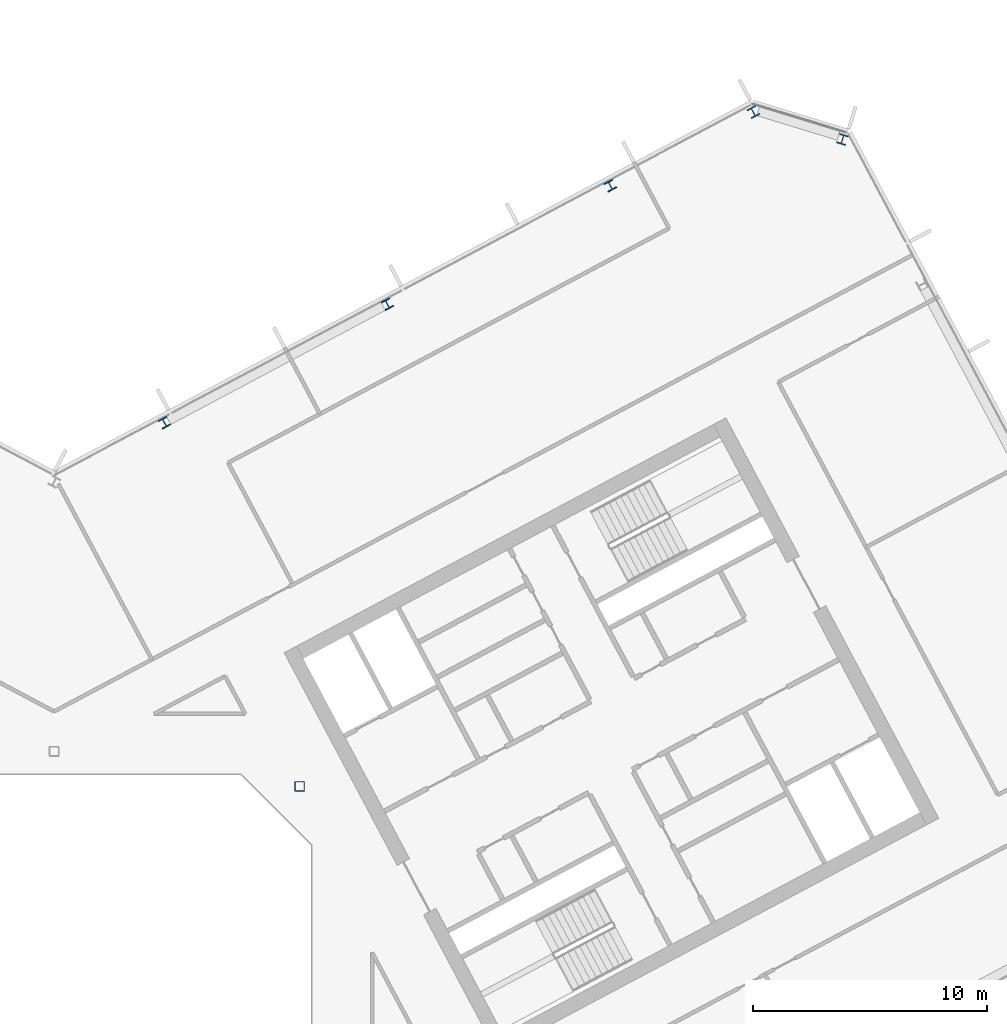
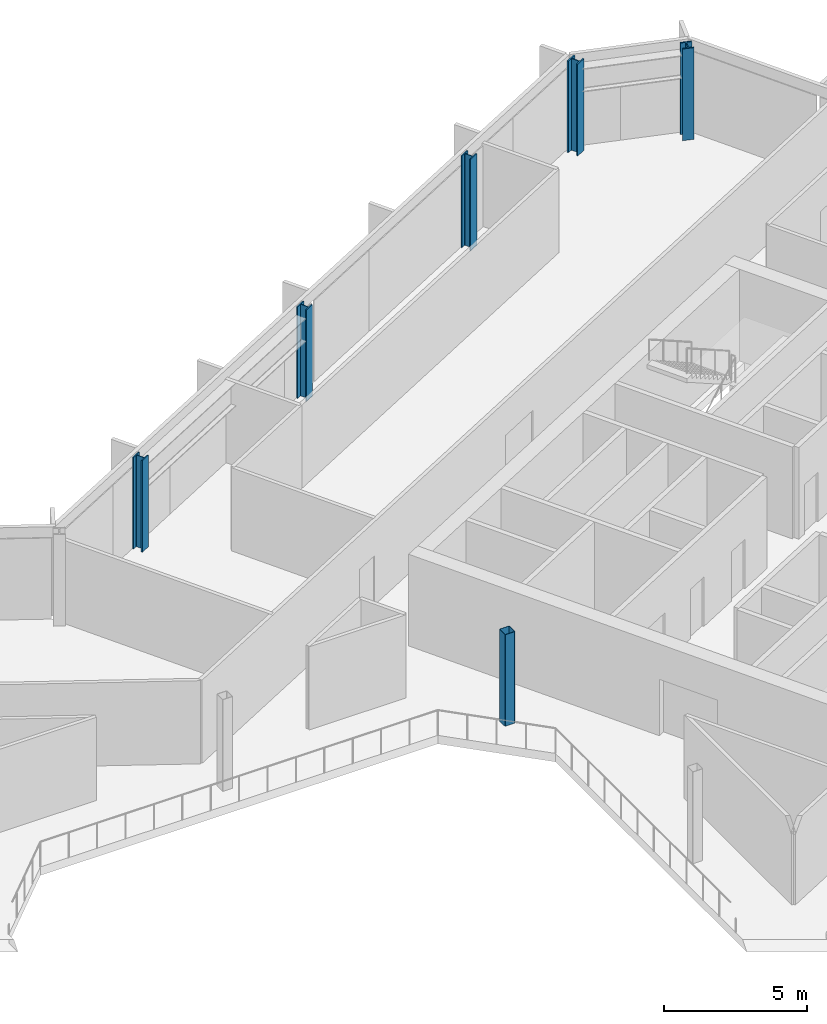
# One storey, part 6 of 26: 6 columns.
"""IFC4 building model written with IfcOpenShell, lengths in metres."""

from ifc_helpers import new_model, si_unit, direction, frame, origin, origin_2d, place, context, subcontext, project, spatial, hollow_rectangle, i_section, extrude, material, material_profile, profile_set, type_object, element, save


model = new_model("IFC4")

# Units and contexts
model_context = context("Model", 3, precision=1e-05, world=origin(), true_north=direction((0.0, 1.0)))
body_context = subcontext(model_context, "Body", "Model", "MODEL_VIEW")
ifc_project = project(units=[si_unit("LENGTHUNIT", "METRE"), si_unit("AREAUNIT", "SQUARE_METRE"), si_unit("VOLUMEUNIT", "CUBIC_METRE"), si_unit("PLANEANGLEUNIT", "RADIAN"), si_unit("MASSUNIT", "GRAM", prefix="KILO")], contexts=[model_context])

# Site, building, storey
site_placement = place(None, origin())
site = spatial("IfcSite", under=ifc_project, at=site_placement, CompositionType="ELEMENT")
building_placement = place(site_placement, origin())
building = spatial("IfcBuilding", under=site, at=building_placement, Name="Cormorant Relay Tower", CompositionType="ELEMENT")
storey_placement = place(building_placement, frame((0.0, 0.0, 213.0)))
storey = spatial("IfcBuildingStorey", under=building, at=storey_placement, Name="L46", CompositionType="ELEMENT", Elevation=213.0)

# Columns
ifc_material_1 = material(Name="Steel ASTM A500 Grade C (Fy 345 MPa)", Category="steel")
ifc_material_profile_1 = material_profile(ifc_material_1, hollow_rectangle(XDim=0.406494140625, YDim=0.406494140625, WallThickness=0.0146484375, InnerFilletRadius=0.00732421875, OuterFilletRadius=0.022216796875, at=origin_2d()), Name="HSS406x406x15")
ifc_profile_set_1 = profile_set([ifc_material_profile_1], Name="Steel ASTM A500 Grade C (Fy 345 MPa)")
column_type_1 = type_object("IfcColumnType", Name="Column HSS406x406x15", PredefinedType="COLUMN", material=ifc_profile_set_1)
column_placement = place(storey_placement, frame((10.5, 10.5, 0.0), z_axis=(0.0, 0.0, 1.0), x_axis=(1.0, 0.0, 0.0)))
element("IfcColumn", 1, at=column_placement, inside=storey, type_object=column_type_1, Name="Column L46-024", PredefinedType="COLUMN", context=body_context, shape_type="SweptSolid", body=[
    extrude(hollow_rectangle(XDim=0.406494140625, YDim=0.406494140625, WallThickness=0.0146484375, InnerFilletRadius=0.00732421875, OuterFilletRadius=0.022216796875, at=origin_2d()), origin(), (0.0, 0.0, 1.0), 3.89990234375),
])
ifc_material_2 = material(Name="Steel ASTM A992 (Fy 345 MPa)", Category="steel")
ifc_material_profile_2 = material_profile(ifc_material_2, i_section(OverallWidth=0.40380859375, OverallDepth=0.406494140625, WebThickness=0.027099609375, FlangeThickness=0.043701171875, FilletRadius=0.01513671875, at=origin_2d()), Name="W360x347")
ifc_profile_set_2 = profile_set([ifc_material_profile_2], Name="Steel ASTM A992 (Fy 345 MPa)")
column_type_2 = type_object("IfcColumnType", Name="Column W360x347", PredefinedType="COLUMN", material=ifc_profile_set_2)
for number, where, z_axis, x_axis, name in (
    (2, (4.719970703125, 26.055908203125, 0.0), (0.0, 0.0, 1.0), (-0.882947592859, -0.469471562786, 0.0), "Column L46-032"),
    (3, (14.256103515625, 31.1259765625, 0.0), (0.0, 0.0, 1.0), (-0.882947592859, -0.469471562786, 0.0), "Column L46-035"),
    (4, (23.7919921875, 36.196044921875, 0.0), (0.0, 0.0, 1.0), (-0.882947592859, -0.469471562786, 0.0), "Column L46-039"),
):
    element("IfcColumn", number, at=place(storey_placement, frame(where, z_axis=z_axis, x_axis=x_axis)), inside=storey, type_object=column_type_2, Name=name, PredefinedType="COLUMN", context=body_context, shape_type="SweptSolid", body=[
        extrude(i_section(OverallWidth=0.40380859375, OverallDepth=0.406494140625, WebThickness=0.027099609375, FlangeThickness=0.043701171875, FilletRadius=0.01513671875, at=origin_2d()), origin(), (0.0, 0.0, 1.0), 3.89990234375),
    ])
ifc_material_3 = material(Name="Steel ASTM A992 (Fy 345 MPa)", Category="steel")
ifc_material_profile_3 = material_profile(ifc_material_3, i_section(OverallWidth=0.41162109375, OverallDepth=0.434326171875, WebThickness=0.035888671875, FlangeThickness=0.057373046875, FilletRadius=0.01513671875, at=origin_2d()), Name="W360x463")
ifc_profile_set_3 = profile_set([ifc_material_profile_3], Name="Steel ASTM A992 (Fy 345 MPa)")
column_type_3 = type_object("IfcColumnType", Name="Column W360x463", PredefinedType="COLUMN", material=ifc_profile_set_3)
for number, where, z_axis, x_axis, name in (
    (5, (33.720947265625, 38.173095703125, 0.0), (0.0, 0.0, 1.0), (-0.956304755963, 0.292371704723, 0.0), "Column L46-041"),
    (6, (29.905029296875, 39.340087890625, 0.0), (0.0, 0.0, 1.0), (-0.882947592859, -0.469471562786, 0.0), "Column L46-043"),
):
    element("IfcColumn", number, at=place(storey_placement, frame(where, z_axis=z_axis, x_axis=x_axis)), inside=storey, type_object=column_type_3, Name=name, PredefinedType="COLUMN", context=body_context, shape_type="SweptSolid", body=[
        extrude(i_section(OverallWidth=0.41162109375, OverallDepth=0.434326171875, WebThickness=0.035888671875, FlangeThickness=0.057373046875, FilletRadius=0.01513671875, at=origin_2d()), origin(), (0.0, 0.0, 1.0), 3.89990234375),
    ])

save(model, "model.ifc")
